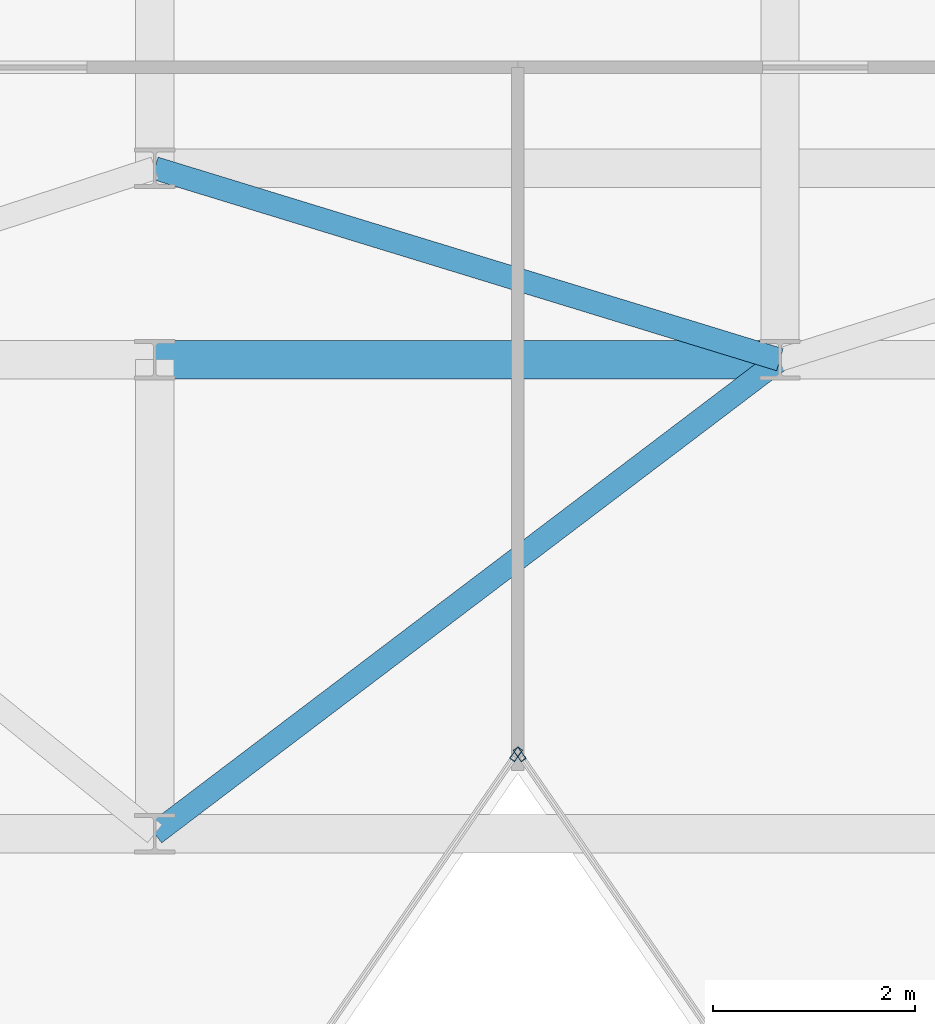
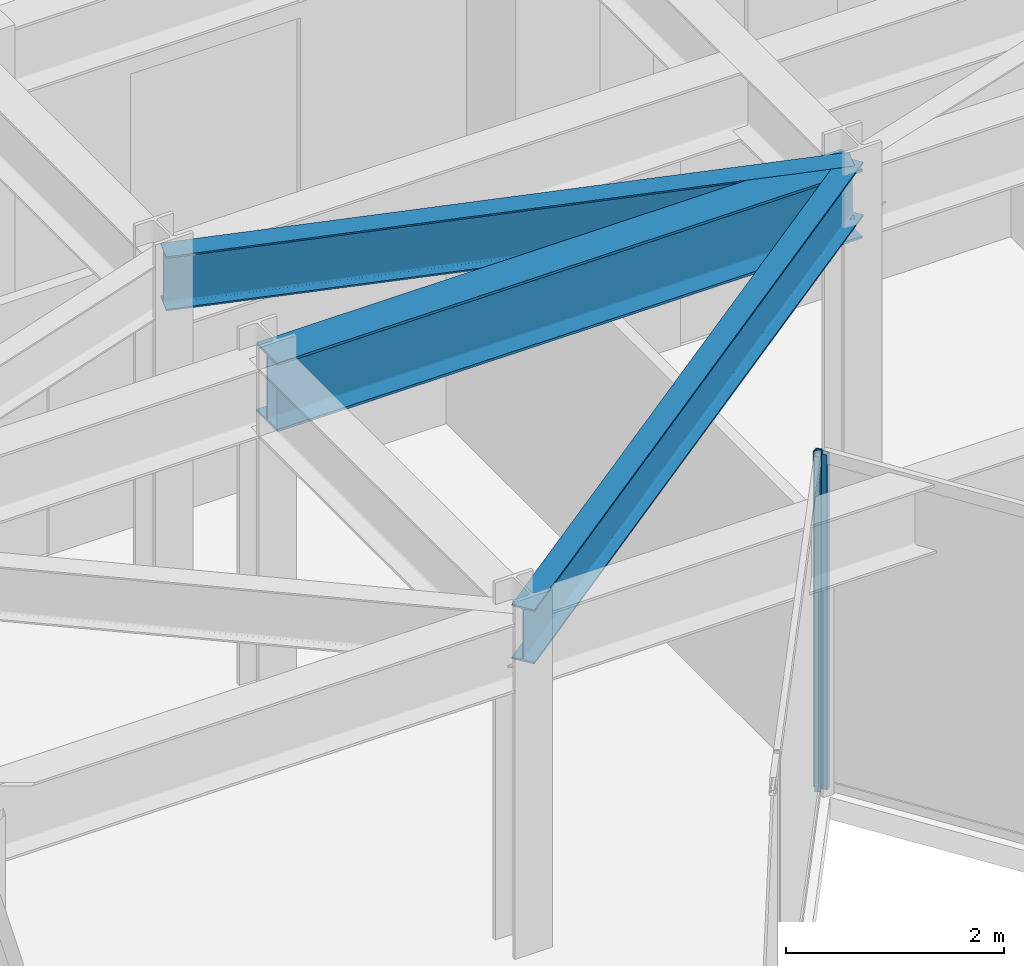
# One storey, part 14 of 26: 3 beams, 2 members, 2 elements without a shape of their own.
"""IFC4 building model written with IfcOpenShell, lengths in metres."""

from ifc_helpers import new_model, si_unit, direction, frame, origin, origin_2d, place, context, subcontext, project, spatial, hollow_rectangle, i_section, extrude, material, layer, layer_set, material_profile, profile_set, type_object, element, aggregate, save


model = new_model("IFC4")

# Units and contexts
model_context = context("Model", 3, precision=1e-05, world=origin(), true_north=direction((0.0, 1.0)))
body_context = subcontext(model_context, "Body", "Model", "MODEL_VIEW")
ifc_project = project(units=[si_unit("LENGTHUNIT", "METRE"), si_unit("AREAUNIT", "SQUARE_METRE"), si_unit("VOLUMEUNIT", "CUBIC_METRE"), si_unit("PLANEANGLEUNIT", "RADIAN"), si_unit("MASSUNIT", "GRAM", prefix="KILO")], contexts=[model_context])

# Site, building, storey
site_placement = place(None, origin())
site = spatial("IfcSite", under=ifc_project, at=site_placement, CompositionType="ELEMENT")
building_placement = place(site_placement, origin())
building = spatial("IfcBuilding", under=site, at=building_placement, Name="Kravanh Interchange Tower", CompositionType="ELEMENT")
storey_placement = place(building_placement, frame((0.0, 0.0, 212.5)))
storey = spatial("IfcBuildingStorey", under=building, at=storey_placement, Name="L51", CompositionType="ELEMENT", Elevation=212.5)

# Curtain wall, member
ifc_material_1 = material(Name="Anodised Bronze Aluminium", Category="aluminium")
ifc_layer = layer(ifc_material_1, 0.179931640625)
ifc_layer_set = layer_set([ifc_layer], Name="Unitised Curtain Wall System CW-Z3 Upper Office")
curtain_wall_type = type_object("IfcCurtainWallType", Name="Unitised Curtain Wall System CW-Z3 Upper Office", PredefinedType="NOTDEFINED", material=ifc_layer_set)
curtain_wall_1_placement = place(storey_placement, origin())
curtain_wall_1 = element("IfcCurtainWall", 1, at=curtain_wall_1_placement, inside=storey, type_object=curtain_wall_type, Name="L51 Unitised Curtain Wall CW-L51-04", PredefinedType="NOTDEFINED")
ifc_material_2 = material(Name="Anodised Bronze Aluminium", Category="aluminium")
ifc_material_profile_1 = material_profile(ifc_material_2, hollow_rectangle(XDim=0.06005859375, YDim=0.139892578125, WallThickness=0.00390625, at=origin_2d()), Name="ALU60X140X4")
ifc_profile_set_1 = profile_set([ifc_material_profile_1], Name="Anodised Bronze Aluminium")
member_type = type_object("IfcMemberType", Name="Curtain Wall Mullion ALU60X140X4 Bronze", PredefinedType="MULLION", material=ifc_profile_set_1)
member_1_placement = place(storey_placement, frame((42.217041015625, 27.587158203125, 0.0), z_axis=(0.0, 0.0, 1.0), x_axis=(-0.824042223035, -0.566528388217, 0.0)))
member_1 = element("IfcMember", 2, at=member_1_placement, type_object=member_type, Name="CW-Z3 mullion 5", PredefinedType="MULLION", context=body_context, shape_type="SweptSolid", body=[
    extrude(hollow_rectangle(XDim=0.06005859375, YDim=0.139892578125, WallThickness=0.00390625, at=origin_2d()), origin(), (0.0, 0.0, 1.0), 3.7548828125),
])
aggregate(curtain_wall_1, [member_1])

curtain_wall_2_placement = place(storey_placement, origin())
curtain_wall_2 = element("IfcCurtainWall", 3, at=curtain_wall_2_placement, inside=storey, type_object=curtain_wall_type, Name="L51 Unitised Curtain Wall CW-L51-05", PredefinedType="NOTDEFINED")
member_2_placement = place(storey_placement, frame((42.18310546875, 27.587158203125, 0.0), z_axis=(0.0, 0.0, 1.0), x_axis=(0.824042223035, -0.566528388217, 0.0)))
member_2 = element("IfcMember", 4, at=member_2_placement, type_object=member_type, Name="CW-Z3 mullion 1", PredefinedType="MULLION", context=body_context, shape_type="SweptSolid", body=[
    extrude(hollow_rectangle(XDim=0.06005859375, YDim=0.139892578125, WallThickness=0.00390625, at=origin_2d()), origin(), (0.0, 0.0, 1.0), 3.7548828125),
])
aggregate(curtain_wall_2, [member_2])

# Beams
ifc_material_3 = material(Name="Structural Steel S355", Category="steel")
ifc_material_profile_2 = material_profile(ifc_material_3, i_section(OverallWidth=0.381103515625, OverallDepth=0.77294921875, WebThickness=0.0166015625, FlangeThickness=0.027099609375, FilletRadius=0.02490234375, at=origin_2d()), Name="W30X173")
ifc_profile_set_2 = profile_set([ifc_material_profile_2], Name="Structural Steel S355")
beam_type_1 = type_object("IfcBeamType", Name="Floor Beam W30X173 Structural Steel S355", PredefinedType="BEAM", material=ifc_profile_set_2)
beam_1_placement = place(storey_placement, frame((38.60009765625, 31.5, 3.368408203125), z_axis=(1.0, 0.0, 0.0), x_axis=(0.0, 1.0, 0.0)))
element("IfcBeam", 5, at=beam_1_placement, inside=storey, type_object=beam_type_1, Name="L51 Primary Floor Girder 72", PredefinedType="BEAM", context=body_context, shape_type="SweptSolid", body=[
    extrude(i_section(OverallWidth=0.381103515625, OverallDepth=0.77294921875, WebThickness=0.0166015625, FlangeThickness=0.027099609375, FilletRadius=0.02490234375, at=origin_2d()), origin(), (0.0, 0.0, 1.0), 6.199951171875),
])
ifc_material_4 = material(Name="Structural Steel S355", Category="steel")
ifc_material_profile_3 = material_profile(ifc_material_4, i_section(OverallWidth=0.22802734375, OverallDepth=0.60791015625, WebThickness=0.01123046875, FlangeThickness=0.017333984375, FilletRadius=0.02197265625, at=origin_2d()), Name="W24X76")
ifc_profile_set_3 = profile_set([ifc_material_profile_3], Name="Structural Steel S355")
beam_type_2 = type_object("IfcBeamType", Name="Floor Spandrel W24X76 Structural Steel S355", PredefinedType="SPANDREL", material=ifc_profile_set_3)
beam_2_placement = place(storey_placement, frame((38.60009765625, 26.800048828125, 3.450927734375), z_axis=(0.796905365509, 0.604104161898, 0.0), x_axis=(-0.604104161898, 0.796905365509, 0.0)))
element("IfcBeam", 6, at=beam_2_placement, inside=storey, type_object=beam_type_2, Name="L51 Perimeter Spandrel 47", PredefinedType="SPANDREL", context=body_context, shape_type="SweptSolid", body=[
    extrude(i_section(OverallWidth=0.22802734375, OverallDepth=0.60791015625, WebThickness=0.01123046875, FlangeThickness=0.017333984375, FilletRadius=0.02197265625, at=origin_2d()), origin(), (0.0, 0.0, 1.0), 7.780029296875),
])
beam_3_placement = place(storey_placement, frame((44.800048828125, 31.5, 3.450927734375), z_axis=(-0.956115397264, 0.292990353279, 0.0), x_axis=(-0.292990353279, -0.956115397264, 0.0)))
element("IfcBeam", 7, at=beam_3_placement, inside=storey, type_object=beam_type_2, Name="L51 Perimeter Spandrel 76", PredefinedType="SPANDREL", context=body_context, shape_type="SweptSolid", body=[
    extrude(i_section(OverallWidth=0.22802734375, OverallDepth=0.60791015625, WebThickness=0.01123046875, FlangeThickness=0.017333984375, FilletRadius=0.02197265625, at=origin_2d()), origin(), (0.0, 0.0, 1.0), 6.484619140625),
])

save(model, "model.ifc")
